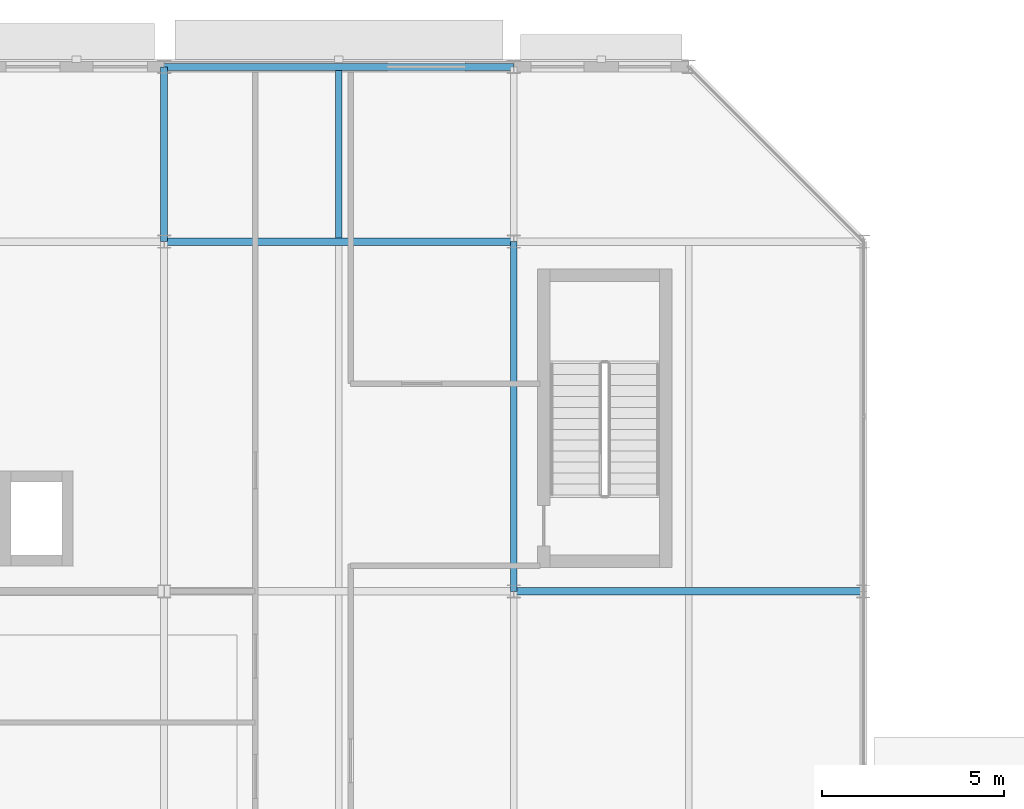
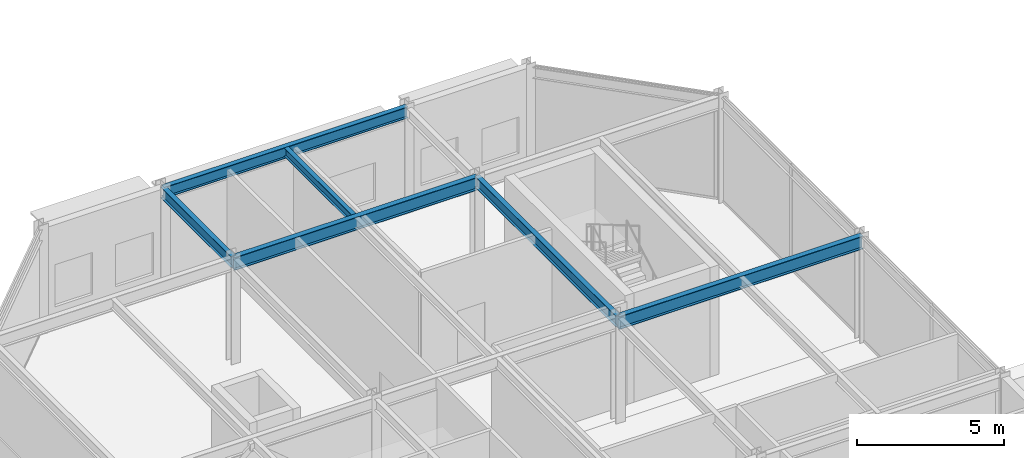
# One storey, part 61 of 133: 6 beams.
"""IFC4 building model written with IfcOpenShell, lengths in metres."""

from ifc_helpers import new_model, si_unit, direction, frame, origin, origin_2d, place, context, subcontext, project, spatial, i_section, extrude, material, material_profile, profile_set, type_object, element, save


model = new_model("IFC4")

# Units and contexts
model_context = context("Model", 3, precision=1e-05, world=origin(), true_north=direction((0.0, 1.0)))
body_context = subcontext(model_context, "Body", "Model", "MODEL_VIEW")
ifc_project = project(units=[si_unit("LENGTHUNIT", "METRE"), si_unit("AREAUNIT", "SQUARE_METRE"), si_unit("VOLUMEUNIT", "CUBIC_METRE"), si_unit("PLANEANGLEUNIT", "RADIAN"), si_unit("MASSUNIT", "GRAM", prefix="KILO")], contexts=[model_context])

# Site, building, storey
site_placement = place(None, origin())
site = spatial("IfcSite", under=ifc_project, at=site_placement, CompositionType="ELEMENT")
building_placement = place(site_placement, origin())
building = spatial("IfcBuilding", under=site, at=building_placement, Name="Almandine Court Research Institute", CompositionType="ELEMENT")
storey_placement = place(building_placement, frame((0.0, 0.0, 9.800048828125)))
storey = spatial("IfcBuildingStorey", under=building, at=storey_placement, Name="L02", CompositionType="ELEMENT", Elevation=9.800048828125)

# Beams
ifc_material = material(Name="Steel ASTM A992 Grade 50", Category="steel")
ifc_material_profile_1 = material_profile(ifc_material, i_section(OverallWidth=0.18994140625, OverallDepth=0.45703125, WebThickness=0.009033203125, FlangeThickness=0.014892578125, at=origin_2d()), Name="W460x74")
ifc_profile_set_1 = profile_set([ifc_material_profile_1], Name="Steel ASTM A992 Grade 50")
beam_type_1 = type_object("IfcBeamType", Name="Beam-B-01", PredefinedType="BEAM", material=ifc_profile_set_1)
beam_1_placement = place(storey_placement, frame((25.199951171875, 103.199951171875, 4.140869140625), z_axis=(0.0, 1.0, 0.0), x_axis=(-1.0, 0.0, 0.0)))
element("IfcBeam", 1, at=beam_1_placement, inside=storey, type_object=beam_type_1, Name="L02 V3 Primary Y Girder", PredefinedType="BEAM", context=body_context, shape_type="SweptSolid", body=[
    extrude(i_section(OverallWidth=0.18994140625, OverallDepth=0.45703125, WebThickness=0.009033203125, FlangeThickness=0.014892578125, at=origin_2d()), origin(), (0.0, 0.0, 1.0), 9.60009765625),
])
beam_2_placement = place(storey_placement, frame((15.60009765625, 112.800048828125, 4.140869140625), z_axis=(0.0, 1.0, 0.0), x_axis=(-1.0, 0.0, 0.0)))
element("IfcBeam", 2, at=beam_2_placement, inside=storey, type_object=beam_type_1, Name="L02 V3 Primary Y Girder", PredefinedType="BEAM", context=body_context, shape_type="SweptSolid", body=[
    extrude(i_section(OverallWidth=0.18994140625, OverallDepth=0.45703125, WebThickness=0.009033203125, FlangeThickness=0.014892578125, at=origin_2d()), origin(), (0.0, 0.0, 1.0), 4.800048828125),
])
ifc_material_profile_2 = material_profile(ifc_material, i_section(OverallWidth=0.172119140625, OverallDepth=0.35791015625, WebThickness=0.008056640625, FlangeThickness=0.012939453125, at=origin_2d()), Name="W360x57")
ifc_profile_set_2 = profile_set([ifc_material_profile_2], Name="Steel ASTM A992 Grade 50")
beam_type_2 = type_object("IfcBeamType", Name="Beam-B-03", PredefinedType="JOIST", material=ifc_profile_set_2)
beam_3_placement = place(storey_placement, frame((20.39990234375, 112.903076171875, 4.19091796875), z_axis=(0.0, 1.0, 0.0), x_axis=(-1.0, 0.0, 0.0)))
element("IfcBeam", 3, at=beam_3_placement, inside=storey, type_object=beam_type_2, Name="L02 V3 Composite Secondary Beam", PredefinedType="JOIST", context=body_context, shape_type="SweptSolid", body=[
    extrude(i_section(OverallWidth=0.172119140625, OverallDepth=0.35791015625, WebThickness=0.008056640625, FlangeThickness=0.012939453125, at=origin_2d()), origin(), (0.0, 0.0, 1.0), 4.601806640625),
])
ifc_material_profile_3 = material_profile(ifc_material, i_section(OverallWidth=0.2109375, OverallDepth=0.5390625, WebThickness=0.011962890625, FlangeThickness=0.01904296875, at=origin_2d()), Name="W530x109")
ifc_profile_set_3 = profile_set([ifc_material_profile_3], Name="Steel ASTM A992 Grade 50")
beam_type_3 = type_object("IfcBeamType", Name="Beam-G-04", PredefinedType="BEAM", material=ifc_profile_set_3)
beam_4_placement = place(storey_placement, frame((25.199951171875, 103.199951171875, 4.099853515625), z_axis=(1.0, 0.0, 0.0), x_axis=(0.0, 1.0, 0.0)))
element("IfcBeam", 4, at=beam_4_placement, inside=storey, type_object=beam_type_3, Name="L02 V3 Primary X Girder", PredefinedType="BEAM", context=body_context, shape_type="SweptSolid", body=[
    extrude(i_section(OverallWidth=0.2109375, OverallDepth=0.5390625, WebThickness=0.011962890625, FlangeThickness=0.01904296875, at=origin_2d()), origin(), (0.0, 0.0, 1.0), 9.60009765625),
])
beam_5_placement = place(storey_placement, frame((15.60009765625, 112.800048828125, 4.099853515625), z_axis=(1.0, 0.0, 0.0), x_axis=(0.0, 1.0, 0.0)))
element("IfcBeam", 5, at=beam_5_placement, inside=storey, type_object=beam_type_3, Name="L02 V3 Primary X Girder", PredefinedType="BEAM", context=body_context, shape_type="SweptSolid", body=[
    extrude(i_section(OverallWidth=0.2109375, OverallDepth=0.5390625, WebThickness=0.011962890625, FlangeThickness=0.01904296875, at=origin_2d()), origin(), (0.0, 0.0, 1.0), 9.599853515625),
])
ifc_material_profile_4 = material_profile(ifc_material, i_section(OverallWidth=0.193115234375, OverallDepth=0.466064453125, WebThickness=0.010986328125, FlangeThickness=0.01904296875, at=origin_2d()), Name="W460x97")
ifc_profile_set_4 = profile_set([ifc_material_profile_4], Name="Steel ASTM A992 Grade 50")
beam_type_4 = type_object("IfcBeamType", Name="Beam-G-06-E", PredefinedType="SPANDREL", material=ifc_profile_set_4)
beam_6_placement = place(storey_placement, frame((15.60009765625, 117.60009765625, 4.136962890625), z_axis=(1.0, 0.0, 0.0), x_axis=(0.0, 1.0, 0.0)))
element("IfcBeam", 6, at=beam_6_placement, inside=storey, type_object=beam_type_4, Name="L02 V3 Primary X Girder", PredefinedType="SPANDREL", context=body_context, shape_type="SweptSolid", body=[
    extrude(i_section(OverallWidth=0.193115234375, OverallDepth=0.466064453125, WebThickness=0.010986328125, FlangeThickness=0.01904296875, at=origin_2d()), origin(), (0.0, 0.0, 1.0), 9.599853515625),
])

save(model, "model.ifc")
